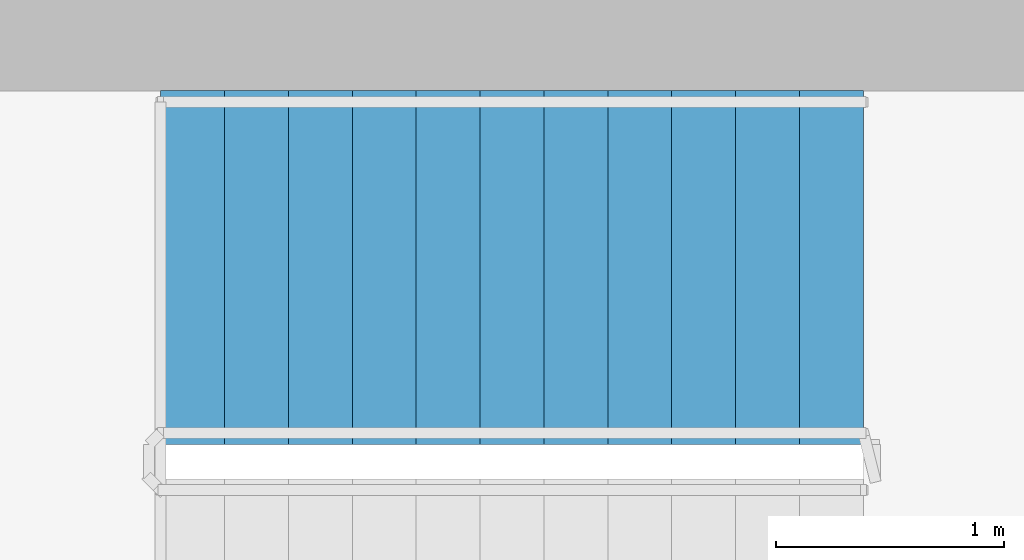
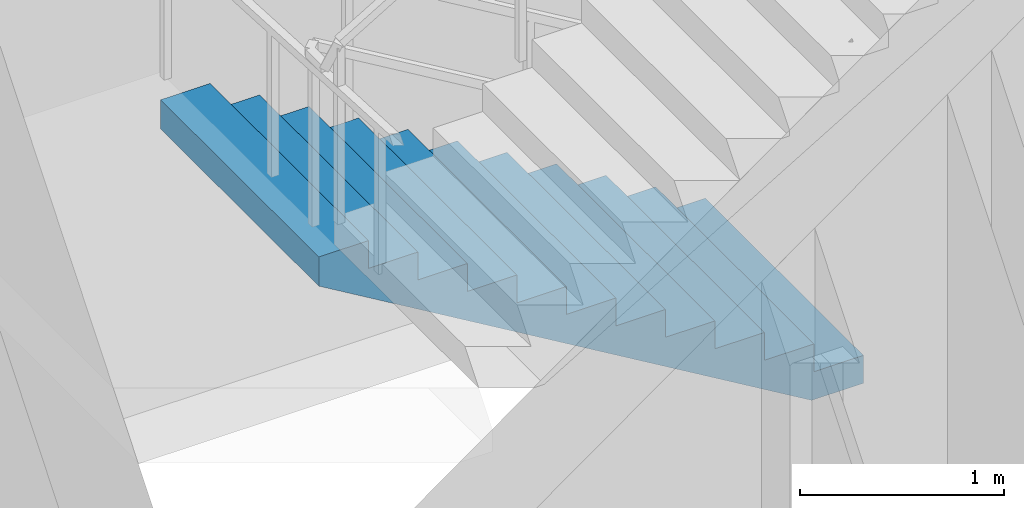
# One storey, part 8 of 16: 1 stair flight, 1 element without a shape of its own.
"""IFC4 building model written with IfcOpenShell, lengths in metres."""

from ifc_helpers import new_model, si_unit, direction, frame, origin, place, context, subcontext, project, spatial, polyline, outline, extrude, material, type_object, element, aggregate, save


model = new_model("IFC4")

# Units and contexts
model_context = context("Model", 3, precision=1e-05, world=origin(), true_north=direction((0.0, 1.0)))
body_context = subcontext(model_context, "Body", "Model", "MODEL_VIEW")
ifc_project = project(units=[si_unit("LENGTHUNIT", "METRE"), si_unit("AREAUNIT", "SQUARE_METRE"), si_unit("VOLUMEUNIT", "CUBIC_METRE"), si_unit("PLANEANGLEUNIT", "RADIAN"), si_unit("MASSUNIT", "GRAM", prefix="KILO")], contexts=[model_context])

# Site, building, storey
site_placement = place(None, origin())
site = spatial("IfcSite", under=ifc_project, at=site_placement, CompositionType="ELEMENT")
building_placement = place(site_placement, origin())
building = spatial("IfcBuilding", under=site, at=building_placement, Name="Noorbagh Ring Tower", CompositionType="ELEMENT")
storey_placement = place(building_placement, frame((0.0, 0.0, 74.5)))
storey = spatial("IfcBuildingStorey", under=building, at=storey_placement, Name="L16", CompositionType="ELEMENT", Elevation=74.5)

# Stair, stair flight
ifc_material_1 = material(Name="Concrete C40/50", Category="concrete")
stair_type = type_object("IfcStairType", Name="CORE-STAIR", PredefinedType="HALF_TURN_STAIR", material=ifc_material_1)
stair_placement = place(storey_placement, origin())
stair = element("IfcStair", 1, at=stair_placement, inside=storey, type_object=stair_type, Name="L16 Exit stair ST3", PredefinedType="HALF_TURN_STAIR")
ifc_material_2 = material(Name="Concrete C40/50", Category="concrete")
stair_flight_type = type_object("IfcStairFlightType", Name="CORE-STAIR-FLIGHT", PredefinedType="STRAIGHT", material=ifc_material_2)
stair_flight_placement = place(storey_placement, frame((21.530029296875, 7.22509765625, 0.0), z_axis=(0.0, 0.0, 1.0), x_axis=(-1.0, 0.0, 0.0)))
stair_flight = element("IfcStairFlight", 2, at=stair_flight_placement, type_object=stair_flight_type, Name="ST3 flight 1", NumberOfRisers=12, NumberOfTreads=11, PredefinedType="STRAIGHT", RiserHeight=0.166666667, TreadLength=0.28, context=body_context, shape_type="SweptSolid", body=[
    extrude(outline(polyline([(0.0, 0.0), (0.0, 0.166748046875), (0.280029296875, 0.166748046875), (0.280029296875, 0.333251953125), (0.56005859375, 0.333251953125), (0.56005859375, 0.5), (0.840087890625, 0.5), (0.840087890625, 0.666748046875), (1.1201171875, 0.666748046875), (1.1201171875, 0.833251953125), (1.39990234375, 0.833251953125), (1.39990234375, 1.0), (1.679931640625, 1.0), (1.679931640625, 1.166748046875), (1.9599609375, 1.166748046875), (1.9599609375, 1.333251953125), (2.239990234375, 1.333251953125), (2.239990234375, 1.5), (2.52001953125, 1.5), (2.52001953125, 1.666748046875), (2.800048828125, 1.666748046875), (2.800048828125, 1.833251953125), (3.080078125, 1.833251953125), (3.080078125, 2.0), (3.080078125, 1.658935546875), (0.29296875, 0.0), (0.0, 0.0)])), frame((0.0, 0.77490234375, 0.0), z_axis=(0.0, -1.0, 0.0), x_axis=(1.0, 0.0, 0.0)), (0.0, 0.0, 1.0), 1.550048828125),
])
aggregate(stair, [stair_flight])

save(model, "model.ifc")
